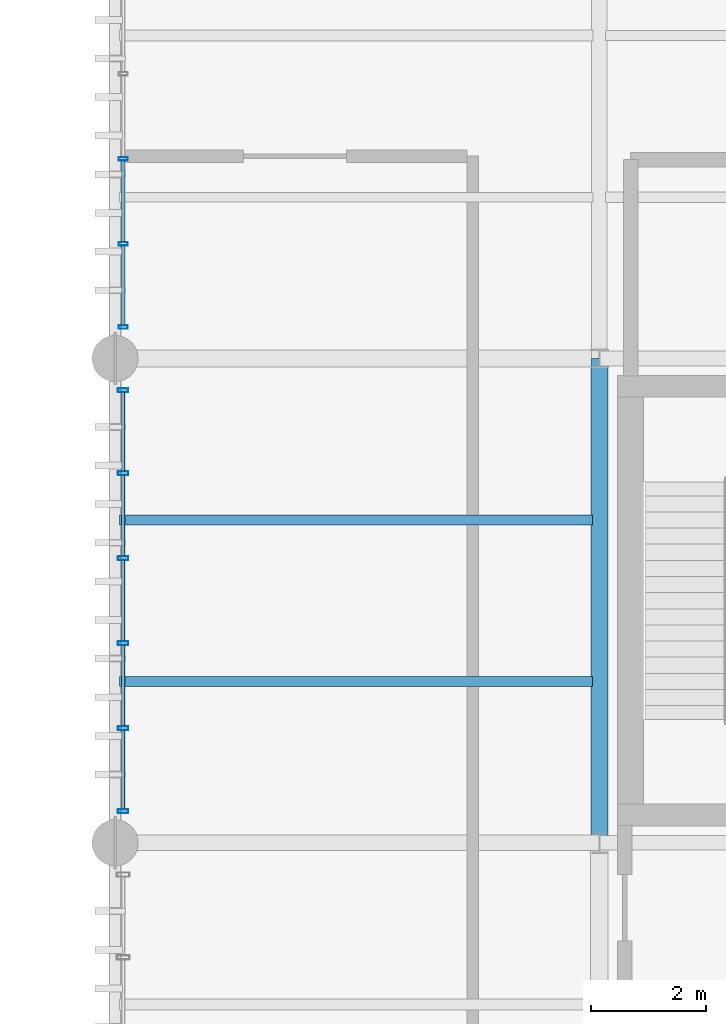
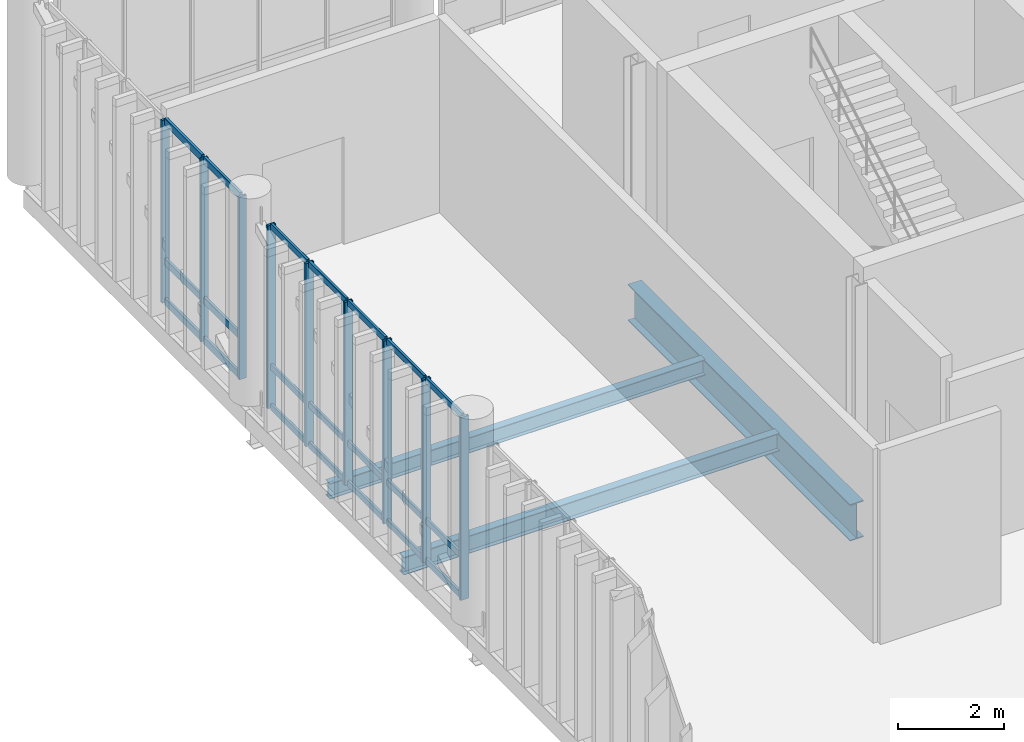
# One storey, part 57 of 94: 30 members, 3 beams, 2 elements without a shape of their own.
"""IFC4 building model written with IfcOpenShell, lengths in metres."""

from ifc_helpers import new_model, si_unit, direction, frame, origin_with_axes, origin_2d_with_axis, place, context, subcontext, project, spatial, hollow_rectangle, i_section, extrude, material, material_profile, profile_set, type_object, element, aggregate, save


model = new_model("IFC4")

# Units and contexts
model_context = context("Model", 3, precision=1e-05, world=origin_with_axes(), true_north=direction((0.0, 1.0)))
body_context = subcontext(model_context, "Body", "Model", "MODEL_VIEW")
ifc_project = project(units=[si_unit("LENGTHUNIT", "METRE"), si_unit("AREAUNIT", "SQUARE_METRE"), si_unit("VOLUMEUNIT", "CUBIC_METRE"), si_unit("PLANEANGLEUNIT", "RADIAN"), si_unit("MASSUNIT", "GRAM", prefix="KILO"), si_unit("THERMODYNAMICTEMPERATUREUNIT", "KELVIN")], contexts=[model_context])

# Site, building, storey
site_placement = place(None, origin_with_axes())
site = spatial("IfcSite", under=ifc_project, at=site_placement, CompositionType="ELEMENT")
building_placement = place(site_placement, origin_with_axes())
building = spatial("IfcBuilding", under=site, at=building_placement, Name="Montbau Bow Law Courts", CompositionType="ELEMENT")
storey_placement = place(building_placement, frame((0.0, 0.0, 15.6), z_axis=(0.0, 0.0, 1.0), x_axis=(1.0, 0.0, 0.0)))
storey = spatial("IfcBuildingStorey", under=building, at=storey_placement, Name="L03", CompositionType="ELEMENT", Elevation=15.6)

# Beams
ifc_material_1 = material(Name="Steel CSA G40.21 Grade 350W (350 MPa)", Category="steel")
ifc_material_profile_1 = material_profile(ifc_material_1, i_section(OverallWidth=0.293, OverallDepth=0.846, WebThickness=0.0154, FlangeThickness=0.0244, at=origin_2d_with_axis()), Name="W840X210", Category="Main", Priority=0)
ifc_profile_set_1 = profile_set([ifc_material_profile_1], Name="Steel CSA G40.21 Grade 350W (350 MPa)")
beam_type_1 = type_object("IfcBeamType", Name="B-FLR-02", PredefinedType="BEAM", material=ifc_profile_set_1)
beam_1_placement = place(None, frame((147.0, 86.4, 14.837), z_axis=(0.0, 1.0, 0.0), x_axis=(-1.0, 0.0, 0.0)))
element("IfcBeam", 1, at=beam_1_placement, inside=storey, type_object=beam_type_1, Name="BM-L03-S1231:bm2_1234", PredefinedType="BEAM", context=body_context, shape_type="SweptSolid", body=[
    extrude(i_section(OverallWidth=0.293, OverallDepth=0.846, WebThickness=0.0154, FlangeThickness=0.0244, at=origin_2d_with_axis()), origin_with_axes(), (0.0, 0.0, 1.0), 8.4),
])
ifc_material_profile_2 = material_profile(ifc_material_1, i_section(OverallWidth=0.179, OverallDepth=0.41, WebThickness=0.0088, FlangeThickness=0.0144, at=origin_2d_with_axis()), Name="W410X67", Category="Main", Priority=0)
ifc_profile_set_2 = profile_set([ifc_material_profile_2], Name="Steel CSA G40.21 Grade 350W (350 MPa)")
beam_type_2 = type_object("IfcBeamType", Name="B-JST-02", PredefinedType="JOIST", material=ifc_profile_set_2)
beam_2_placement = place(None, frame((138.68, 89.2, 15.055), z_axis=(1.0, 0.0, 0.0), x_axis=(0.0, 1.0, 0.0)))
element("IfcBeam", 2, at=beam_2_placement, inside=storey, type_object=beam_type_2, Name="JST-L03-S0641:jst2_0641", PredefinedType="JOIST", context=body_context, shape_type="SweptSolid", body=[
    extrude(i_section(OverallWidth=0.179, OverallDepth=0.41, WebThickness=0.0088, FlangeThickness=0.0144, at=origin_2d_with_axis()), origin_with_axes(), (0.0, 0.0, 1.0), 8.197),
])
ifc_material_profile_3 = material_profile(ifc_material_1, i_section(OverallWidth=0.172, OverallDepth=0.358, WebThickness=0.0079, FlangeThickness=0.0131, at=origin_2d_with_axis()), Name="W360X57", Category="Main", Priority=0)
ifc_profile_set_3 = profile_set([ifc_material_profile_3], Name="Steel CSA G40.21 Grade 350W (350 MPa)")
beam_type_3 = type_object("IfcBeamType", Name="B-JST-03", PredefinedType="JOIST", material=ifc_profile_set_3)
beam_3_placement = place(None, frame((138.68, 92.0, 15.081), z_axis=(1.0, 0.0, 0.0), x_axis=(0.0, 1.0, 0.0)))
element("IfcBeam", 3, at=beam_3_placement, inside=storey, type_object=beam_type_3, Name="JST-L03-S0642:jst2_0642", PredefinedType="JOIST", context=body_context, shape_type="SweptSolid", body=[
    extrude(i_section(OverallWidth=0.172, OverallDepth=0.358, WebThickness=0.0079, FlangeThickness=0.0131, at=origin_2d_with_axis()), origin_with_axes(), (0.0, 0.0, 1.0), 8.197),
])

# Curtain wall, members
ifc_material_2 = material(Name="Thermally Broken Extruded Aluminium AA 6063-T6", Category="aluminium")
curtain_wall_type = type_object("IfcCurtainWallType", Name="CW-SLT-01", PredefinedType="NOTDEFINED", material=ifc_material_2)
curtain_wall_1_placement = place(None, frame((138.74, 86.915, 15.6), z_axis=(0.0, 0.0, 1.0), x_axis=(1.0, 0.0, 0.0)))
curtain_wall_1 = element("IfcCurtainWall", 4, at=curtain_wall_1_placement, inside=storey, type_object=curtain_wall_type, Name="CW-L03-319:cw_0319", PredefinedType="NOTDEFINED")
ifc_material_profile_4 = material_profile(ifc_material_2, hollow_rectangle(XDim=0.065, YDim=0.18, WallThickness=0.005, InnerFilletRadius=0.01, OuterFilletRadius=0.005, at=origin_2d_with_axis()), Name="CWM-180X65", Category="Main", Priority=0)
ifc_profile_set_4 = profile_set([ifc_material_profile_4], Name="Thermally Broken Extruded Aluminium AA 6063-T6")
member_type_1 = type_object("IfcMemberType", Name="M-MUL-02", PredefinedType="MULLION", material=ifc_profile_set_4)
member_1_placement = place(None, frame((138.74, 86.948, 15.6), z_axis=(0.0, 0.0, 1.0), x_axis=(0.0, 1.0, 0.0)))
member_1 = element("IfcMember", 5, at=member_1_placement, type_object=member_type_1, Name="CW-L03-319-M01:cw_0319_M01", PredefinedType="MULLION", context=body_context, shape_type="SweptSolid", body=[
    extrude(hollow_rectangle(XDim=0.065, YDim=0.18, WallThickness=0.005, InnerFilletRadius=0.01, OuterFilletRadius=0.005, at=origin_2d_with_axis()), origin_with_axes(), (0.0, 0.0, 1.0), 4.22),
])
member_2_placement = place(None, frame((138.74, 88.389, 15.6), z_axis=(0.0, 0.0, 1.0), x_axis=(0.0, 1.0, 0.0)))
member_2 = element("IfcMember", 6, at=member_2_placement, type_object=member_type_1, Name="CW-L03-319-M02:cw_0319_M02", PredefinedType="MULLION", context=body_context, shape_type="SweptSolid", body=[
    extrude(hollow_rectangle(XDim=0.065, YDim=0.18, WallThickness=0.005, InnerFilletRadius=0.01, OuterFilletRadius=0.005, at=origin_2d_with_axis()), origin_with_axes(), (0.0, 0.0, 1.0), 4.22),
])
member_3_placement = place(None, frame((138.74, 89.863, 15.6), z_axis=(0.0, 0.0, 1.0), x_axis=(0.0, 1.0, 0.0)))
member_3 = element("IfcMember", 7, at=member_3_placement, type_object=member_type_1, Name="CW-L03-319-M03:cw_0319_M03", PredefinedType="MULLION", context=body_context, shape_type="SweptSolid", body=[
    extrude(hollow_rectangle(XDim=0.065, YDim=0.18, WallThickness=0.005, InnerFilletRadius=0.01, OuterFilletRadius=0.005, at=origin_2d_with_axis()), origin_with_axes(), (0.0, 0.0, 1.0), 4.22),
])
member_4_placement = place(None, frame((138.74, 91.337, 15.6), z_axis=(0.0, 0.0, 1.0), x_axis=(0.0, 1.0, 0.0)))
member_4 = element("IfcMember", 8, at=member_4_placement, type_object=member_type_1, Name="CW-L03-319-M04:cw_0319_M04", PredefinedType="MULLION", context=body_context, shape_type="SweptSolid", body=[
    extrude(hollow_rectangle(XDim=0.065, YDim=0.18, WallThickness=0.005, InnerFilletRadius=0.01, OuterFilletRadius=0.005, at=origin_2d_with_axis()), origin_with_axes(), (0.0, 0.0, 1.0), 4.22),
])
member_5_placement = place(None, frame((138.74, 92.811, 15.6), z_axis=(0.0, 0.0, 1.0), x_axis=(0.0, 1.0, 0.0)))
member_5 = element("IfcMember", 9, at=member_5_placement, type_object=member_type_1, Name="CW-L03-319-M05:cw_0319_M05", PredefinedType="MULLION", context=body_context, shape_type="SweptSolid", body=[
    extrude(hollow_rectangle(XDim=0.065, YDim=0.18, WallThickness=0.005, InnerFilletRadius=0.01, OuterFilletRadius=0.005, at=origin_2d_with_axis()), origin_with_axes(), (0.0, 0.0, 1.0), 4.22),
])
member_6_placement = place(None, frame((138.74, 94.252, 15.6), z_axis=(0.0, 0.0, 1.0), x_axis=(0.0, 1.0, 0.0)))
member_6 = element("IfcMember", 10, at=member_6_placement, type_object=member_type_1, Name="CW-L03-319-M06:cw_0319_M06", PredefinedType="MULLION", context=body_context, shape_type="SweptSolid", body=[
    extrude(hollow_rectangle(XDim=0.065, YDim=0.18, WallThickness=0.005, InnerFilletRadius=0.01, OuterFilletRadius=0.005, at=origin_2d_with_axis()), origin_with_axes(), (0.0, 0.0, 1.0), 4.22),
])

curtain_wall_2_placement = place(None, frame((138.74, 95.315, 15.6), z_axis=(0.0, 0.0, 1.0), x_axis=(1.0, 0.0, 0.0)))
curtain_wall_2 = element("IfcCurtainWall", 11, at=curtain_wall_2_placement, inside=storey, type_object=curtain_wall_type, Name="CW-L03-320:cw_0320", PredefinedType="NOTDEFINED")
ifc_material_profile_5 = material_profile(ifc_material_2, hollow_rectangle(XDim=0.06, YDim=0.16, WallThickness=0.004, InnerFilletRadius=0.008, OuterFilletRadius=0.004, at=origin_2d_with_axis()), Name="CWM-160X60", Category="Main", Priority=0)
ifc_profile_set_5 = profile_set([ifc_material_profile_5], Name="Thermally Broken Extruded Aluminium AA 6063-T6")
member_type_2 = type_object("IfcMemberType", Name="M-MUL-03", PredefinedType="MULLION", material=ifc_profile_set_5)
member_7_placement = place(None, frame((138.74, 95.345, 15.6), z_axis=(0.0, 0.0, 1.0), x_axis=(0.0, 1.0, 0.0)))
member_7 = element("IfcMember", 12, at=member_7_placement, type_object=member_type_2, Name="CW-L03-320-M01:cw_0320_M01", PredefinedType="MULLION", context=body_context, shape_type="SweptSolid", body=[
    extrude(hollow_rectangle(XDim=0.06, YDim=0.16, WallThickness=0.004, InnerFilletRadius=0.008, OuterFilletRadius=0.004, at=origin_2d_with_axis()), origin_with_axes(), (0.0, 0.0, 1.0), 4.22),
])
member_8_placement = place(None, frame((138.74, 96.789, 15.6), z_axis=(0.0, 0.0, 1.0), x_axis=(0.0, 1.0, 0.0)))
member_8 = element("IfcMember", 13, at=member_8_placement, type_object=member_type_2, Name="CW-L03-320-M02:cw_0320_M02", PredefinedType="MULLION", context=body_context, shape_type="SweptSolid", body=[
    extrude(hollow_rectangle(XDim=0.06, YDim=0.16, WallThickness=0.004, InnerFilletRadius=0.008, OuterFilletRadius=0.004, at=origin_2d_with_axis()), origin_with_axes(), (0.0, 0.0, 1.0), 4.22),
])
member_9_placement = place(None, frame((138.74, 98.263, 15.6), z_axis=(0.0, 0.0, 1.0), x_axis=(0.0, 1.0, 0.0)))
member_9 = element("IfcMember", 14, at=member_9_placement, type_object=member_type_2, Name="CW-L03-320-M03:cw_0320_M03", PredefinedType="MULLION", context=body_context, shape_type="SweptSolid", body=[
    extrude(hollow_rectangle(XDim=0.06, YDim=0.16, WallThickness=0.004, InnerFilletRadius=0.008, OuterFilletRadius=0.004, at=origin_2d_with_axis()), origin_with_axes(), (0.0, 0.0, 1.0), 4.22),
])
ifc_material_profile_6 = material_profile(ifc_material_2, hollow_rectangle(XDim=0.06, YDim=0.16, WallThickness=0.004, InnerFilletRadius=0.008, OuterFilletRadius=0.004, at=origin_2d_with_axis()), Name="CWT-160X60", Category="Main", Priority=0)
ifc_profile_set_6 = profile_set([ifc_material_profile_6], Name="Thermally Broken Extruded Aluminium AA 6063-T6")
member_type_3 = type_object("IfcMemberType", Name="M-TRN-01", PredefinedType="USERDEFINED", material=ifc_profile_set_6)
member_10_placement = place(None, frame((138.74, 95.377, 15.63), z_axis=(0.0, 1.0, 0.0), x_axis=(-1.0, 0.0, 0.0)))
member_10 = element("IfcMember", 15, at=member_10_placement, type_object=member_type_3, Name="CW-L03-320-T01-1:cw_0320_T01_1", ObjectType="TRANSOM", PredefinedType="USERDEFINED", context=body_context, shape_type="SweptSolid", body=[
    extrude(hollow_rectangle(XDim=0.06, YDim=0.16, WallThickness=0.004, InnerFilletRadius=0.008, OuterFilletRadius=0.004, at=origin_2d_with_axis()), origin_with_axes(), (0.0, 0.0, 1.0), 1.38),
])
member_11_placement = place(None, frame((138.74, 95.377, 16.55), z_axis=(0.0, 1.0, 0.0), x_axis=(-1.0, 0.0, 0.0)))
member_11 = element("IfcMember", 16, at=member_11_placement, type_object=member_type_3, Name="CW-L03-320-T01-2:cw_0320_T01_2", ObjectType="TRANSOM", PredefinedType="USERDEFINED", context=body_context, shape_type="SweptSolid", body=[
    extrude(hollow_rectangle(XDim=0.06, YDim=0.16, WallThickness=0.004, InnerFilletRadius=0.008, OuterFilletRadius=0.004, at=origin_2d_with_axis()), origin_with_axes(), (0.0, 0.0, 1.0), 1.38),
])
member_12_placement = place(None, frame((138.74, 95.377, 19.79), z_axis=(0.0, 1.0, 0.0), x_axis=(-1.0, 0.0, 0.0)))
member_12 = element("IfcMember", 17, at=member_12_placement, type_object=member_type_3, Name="CW-L03-320-T01-3:cw_0320_T01_3", ObjectType="TRANSOM", PredefinedType="USERDEFINED", context=body_context, shape_type="SweptSolid", body=[
    extrude(hollow_rectangle(XDim=0.06, YDim=0.16, WallThickness=0.004, InnerFilletRadius=0.008, OuterFilletRadius=0.004, at=origin_2d_with_axis()), origin_with_axes(), (0.0, 0.0, 1.0), 1.38),
])
member_13_placement = place(None, frame((138.74, 96.821, 15.63), z_axis=(0.0, 1.0, 0.0), x_axis=(-1.0, 0.0, 0.0)))
member_13 = element("IfcMember", 18, at=member_13_placement, type_object=member_type_3, Name="CW-L03-320-T02-1:cw_0320_T02_1", ObjectType="TRANSOM", PredefinedType="USERDEFINED", context=body_context, shape_type="SweptSolid", body=[
    extrude(hollow_rectangle(XDim=0.06, YDim=0.16, WallThickness=0.004, InnerFilletRadius=0.008, OuterFilletRadius=0.004, at=origin_2d_with_axis()), origin_with_axes(), (0.0, 0.0, 1.0), 1.41),
])
member_14_placement = place(None, frame((138.74, 96.821, 16.55), z_axis=(0.0, 1.0, 0.0), x_axis=(-1.0, 0.0, 0.0)))
member_14 = element("IfcMember", 19, at=member_14_placement, type_object=member_type_3, Name="CW-L03-320-T02-2:cw_0320_T02_2", ObjectType="TRANSOM", PredefinedType="USERDEFINED", context=body_context, shape_type="SweptSolid", body=[
    extrude(hollow_rectangle(XDim=0.06, YDim=0.16, WallThickness=0.004, InnerFilletRadius=0.008, OuterFilletRadius=0.004, at=origin_2d_with_axis()), origin_with_axes(), (0.0, 0.0, 1.0), 1.41),
])
member_15_placement = place(None, frame((138.74, 96.821, 19.79), z_axis=(0.0, 1.0, 0.0), x_axis=(-1.0, 0.0, 0.0)))
member_15 = element("IfcMember", 20, at=member_15_placement, type_object=member_type_3, Name="CW-L03-320-T02-3:cw_0320_T02_3", ObjectType="TRANSOM", PredefinedType="USERDEFINED", context=body_context, shape_type="SweptSolid", body=[
    extrude(hollow_rectangle(XDim=0.06, YDim=0.16, WallThickness=0.004, InnerFilletRadius=0.008, OuterFilletRadius=0.004, at=origin_2d_with_axis()), origin_with_axes(), (0.0, 0.0, 1.0), 1.41),
])
aggregate(curtain_wall_2, [member_7, member_8, member_9, member_10, member_11, member_12, member_13, member_14, member_15])

# Member
ifc_material_profile_7 = material_profile(ifc_material_2, hollow_rectangle(XDim=0.055, YDim=0.14, WallThickness=0.004, InnerFilletRadius=0.008, OuterFilletRadius=0.004, at=origin_2d_with_axis()), Name="CWT-140X55", Category="Main", Priority=0)
ifc_profile_set_7 = profile_set([ifc_material_profile_7], Name="Thermally Broken Extruded Aluminium AA 6063-T6")
member_type_4 = type_object("IfcMemberType", Name="M-TRN-02", PredefinedType="USERDEFINED", material=ifc_profile_set_7)
member_16_placement = place(None, frame((138.74, 86.983, 15.627), z_axis=(0.0, 1.0, 0.0), x_axis=(-1.0, 0.0, 0.0)))
member_16 = element("IfcMember", 21, at=member_16_placement, type_object=member_type_4, Name="CW-L03-319-T01-1:cw_0319_T01_1", ObjectType="TRANSOM", PredefinedType="USERDEFINED", context=body_context, shape_type="SweptSolid", body=[
    extrude(hollow_rectangle(XDim=0.055, YDim=0.14, WallThickness=0.004, InnerFilletRadius=0.008, OuterFilletRadius=0.004, at=origin_2d_with_axis()), origin_with_axes(), (0.0, 0.0, 1.0), 1.372),
])

member_17_placement = place(None, frame((138.74, 86.983, 16.55), z_axis=(0.0, 1.0, 0.0), x_axis=(-1.0, 0.0, 0.0)))
member_17 = element("IfcMember", 22, at=member_17_placement, type_object=member_type_4, Name="CW-L03-319-T01-2:cw_0319_T01_2", ObjectType="TRANSOM", PredefinedType="USERDEFINED", context=body_context, shape_type="SweptSolid", body=[
    extrude(hollow_rectangle(XDim=0.055, YDim=0.14, WallThickness=0.004, InnerFilletRadius=0.008, OuterFilletRadius=0.004, at=origin_2d_with_axis()), origin_with_axes(), (0.0, 0.0, 1.0), 1.372),
])

member_18_placement = place(None, frame((138.74, 86.983, 19.793), z_axis=(0.0, 1.0, 0.0), x_axis=(-1.0, 0.0, 0.0)))
member_18 = element("IfcMember", 23, at=member_18_placement, type_object=member_type_4, Name="CW-L03-319-T01-3:cw_0319_T01_3", ObjectType="TRANSOM", PredefinedType="USERDEFINED", context=body_context, shape_type="SweptSolid", body=[
    extrude(hollow_rectangle(XDim=0.055, YDim=0.14, WallThickness=0.004, InnerFilletRadius=0.008, OuterFilletRadius=0.004, at=origin_2d_with_axis()), origin_with_axes(), (0.0, 0.0, 1.0), 1.372),
])

member_19_placement = place(None, frame((138.74, 88.423, 15.627), z_axis=(0.0, 1.0, 0.0), x_axis=(-1.0, 0.0, 0.0)))
member_19 = element("IfcMember", 24, at=member_19_placement, type_object=member_type_4, Name="CW-L03-319-T02-1:cw_0319_T02_1", ObjectType="TRANSOM", PredefinedType="USERDEFINED", context=body_context, shape_type="SweptSolid", body=[
    extrude(hollow_rectangle(XDim=0.055, YDim=0.14, WallThickness=0.004, InnerFilletRadius=0.008, OuterFilletRadius=0.004, at=origin_2d_with_axis()), origin_with_axes(), (0.0, 0.0, 1.0), 1.405),
])

member_20_placement = place(None, frame((138.74, 88.423, 16.55), z_axis=(0.0, 1.0, 0.0), x_axis=(-1.0, 0.0, 0.0)))
member_20 = element("IfcMember", 25, at=member_20_placement, type_object=member_type_4, Name="CW-L03-319-T02-2:cw_0319_T02_2", ObjectType="TRANSOM", PredefinedType="USERDEFINED", context=body_context, shape_type="SweptSolid", body=[
    extrude(hollow_rectangle(XDim=0.055, YDim=0.14, WallThickness=0.004, InnerFilletRadius=0.008, OuterFilletRadius=0.004, at=origin_2d_with_axis()), origin_with_axes(), (0.0, 0.0, 1.0), 1.405),
])

member_21_placement = place(None, frame((138.74, 88.423, 19.793), z_axis=(0.0, 1.0, 0.0), x_axis=(-1.0, 0.0, 0.0)))
member_21 = element("IfcMember", 26, at=member_21_placement, type_object=member_type_4, Name="CW-L03-319-T02-3:cw_0319_T02_3", ObjectType="TRANSOM", PredefinedType="USERDEFINED", context=body_context, shape_type="SweptSolid", body=[
    extrude(hollow_rectangle(XDim=0.055, YDim=0.14, WallThickness=0.004, InnerFilletRadius=0.008, OuterFilletRadius=0.004, at=origin_2d_with_axis()), origin_with_axes(), (0.0, 0.0, 1.0), 1.405),
])

member_22_placement = place(None, frame((138.74, 89.897, 15.627), z_axis=(0.0, 1.0, 0.0), x_axis=(-1.0, 0.0, 0.0)))
member_22 = element("IfcMember", 27, at=member_22_placement, type_object=member_type_4, Name="CW-L03-319-T03-1:cw_0319_T03_1", ObjectType="TRANSOM", PredefinedType="USERDEFINED", context=body_context, shape_type="SweptSolid", body=[
    extrude(hollow_rectangle(XDim=0.055, YDim=0.14, WallThickness=0.004, InnerFilletRadius=0.008, OuterFilletRadius=0.004, at=origin_2d_with_axis()), origin_with_axes(), (0.0, 0.0, 1.0), 1.406),
])

member_23_placement = place(None, frame((138.74, 89.897, 16.55), z_axis=(0.0, 1.0, 0.0), x_axis=(-1.0, 0.0, 0.0)))
member_23 = element("IfcMember", 28, at=member_23_placement, type_object=member_type_4, Name="CW-L03-319-T03-2:cw_0319_T03_2", ObjectType="TRANSOM", PredefinedType="USERDEFINED", context=body_context, shape_type="SweptSolid", body=[
    extrude(hollow_rectangle(XDim=0.055, YDim=0.14, WallThickness=0.004, InnerFilletRadius=0.008, OuterFilletRadius=0.004, at=origin_2d_with_axis()), origin_with_axes(), (0.0, 0.0, 1.0), 1.406),
])

member_24_placement = place(None, frame((138.74, 89.897, 19.793), z_axis=(0.0, 1.0, 0.0), x_axis=(-1.0, 0.0, 0.0)))
member_24 = element("IfcMember", 29, at=member_24_placement, type_object=member_type_4, Name="CW-L03-319-T03-3:cw_0319_T03_3", ObjectType="TRANSOM", PredefinedType="USERDEFINED", context=body_context, shape_type="SweptSolid", body=[
    extrude(hollow_rectangle(XDim=0.055, YDim=0.14, WallThickness=0.004, InnerFilletRadius=0.008, OuterFilletRadius=0.004, at=origin_2d_with_axis()), origin_with_axes(), (0.0, 0.0, 1.0), 1.406),
])

member_25_placement = place(None, frame((138.74, 91.371, 15.627), z_axis=(0.0, 1.0, 0.0), x_axis=(-1.0, 0.0, 0.0)))
member_25 = element("IfcMember", 30, at=member_25_placement, type_object=member_type_4, Name="CW-L03-319-T04-1:cw_0319_T04_1", ObjectType="TRANSOM", PredefinedType="USERDEFINED", context=body_context, shape_type="SweptSolid", body=[
    extrude(hollow_rectangle(XDim=0.055, YDim=0.14, WallThickness=0.004, InnerFilletRadius=0.008, OuterFilletRadius=0.004, at=origin_2d_with_axis()), origin_with_axes(), (0.0, 0.0, 1.0), 1.406),
])

member_26_placement = place(None, frame((138.74, 91.371, 16.55), z_axis=(0.0, 1.0, 0.0), x_axis=(-1.0, 0.0, 0.0)))
member_26 = element("IfcMember", 31, at=member_26_placement, type_object=member_type_4, Name="CW-L03-319-T04-2:cw_0319_T04_2", ObjectType="TRANSOM", PredefinedType="USERDEFINED", context=body_context, shape_type="SweptSolid", body=[
    extrude(hollow_rectangle(XDim=0.055, YDim=0.14, WallThickness=0.004, InnerFilletRadius=0.008, OuterFilletRadius=0.004, at=origin_2d_with_axis()), origin_with_axes(), (0.0, 0.0, 1.0), 1.406),
])

member_27_placement = place(None, frame((138.74, 91.371, 19.793), z_axis=(0.0, 1.0, 0.0), x_axis=(-1.0, 0.0, 0.0)))
member_27 = element("IfcMember", 32, at=member_27_placement, type_object=member_type_4, Name="CW-L03-319-T04-3:cw_0319_T04_3", ObjectType="TRANSOM", PredefinedType="USERDEFINED", context=body_context, shape_type="SweptSolid", body=[
    extrude(hollow_rectangle(XDim=0.055, YDim=0.14, WallThickness=0.004, InnerFilletRadius=0.008, OuterFilletRadius=0.004, at=origin_2d_with_axis()), origin_with_axes(), (0.0, 0.0, 1.0), 1.406),
])

member_28_placement = place(None, frame((138.74, 92.845, 15.627), z_axis=(0.0, 1.0, 0.0), x_axis=(-1.0, 0.0, 0.0)))
member_28 = element("IfcMember", 33, at=member_28_placement, type_object=member_type_4, Name="CW-L03-319-T05-1:cw_0319_T05_1", ObjectType="TRANSOM", PredefinedType="USERDEFINED", context=body_context, shape_type="SweptSolid", body=[
    extrude(hollow_rectangle(XDim=0.055, YDim=0.14, WallThickness=0.004, InnerFilletRadius=0.008, OuterFilletRadius=0.004, at=origin_2d_with_axis()), origin_with_axes(), (0.0, 0.0, 1.0), 1.373),
])

member_29_placement = place(None, frame((138.74, 92.845, 16.55), z_axis=(0.0, 1.0, 0.0), x_axis=(-1.0, 0.0, 0.0)))
member_29 = element("IfcMember", 34, at=member_29_placement, type_object=member_type_4, Name="CW-L03-319-T05-2:cw_0319_T05_2", ObjectType="TRANSOM", PredefinedType="USERDEFINED", context=body_context, shape_type="SweptSolid", body=[
    extrude(hollow_rectangle(XDim=0.055, YDim=0.14, WallThickness=0.004, InnerFilletRadius=0.008, OuterFilletRadius=0.004, at=origin_2d_with_axis()), origin_with_axes(), (0.0, 0.0, 1.0), 1.373),
])

member_30_placement = place(None, frame((138.74, 92.845, 19.793), z_axis=(0.0, 1.0, 0.0), x_axis=(-1.0, 0.0, 0.0)))
member_30 = element("IfcMember", 35, at=member_30_placement, type_object=member_type_4, Name="CW-L03-319-T05-3:cw_0319_T05_3", ObjectType="TRANSOM", PredefinedType="USERDEFINED", context=body_context, shape_type="SweptSolid", body=[
    extrude(hollow_rectangle(XDim=0.055, YDim=0.14, WallThickness=0.004, InnerFilletRadius=0.008, OuterFilletRadius=0.004, at=origin_2d_with_axis()), origin_with_axes(), (0.0, 0.0, 1.0), 1.373),
])

aggregate(curtain_wall_1, [member_1, member_2, member_3, member_4, member_5, member_6, member_16, member_17, member_18, member_19, member_20, member_21, member_22, member_23, member_24, member_25, member_26, member_27, member_28, member_29, member_30])

save(model, "model.ifc")
